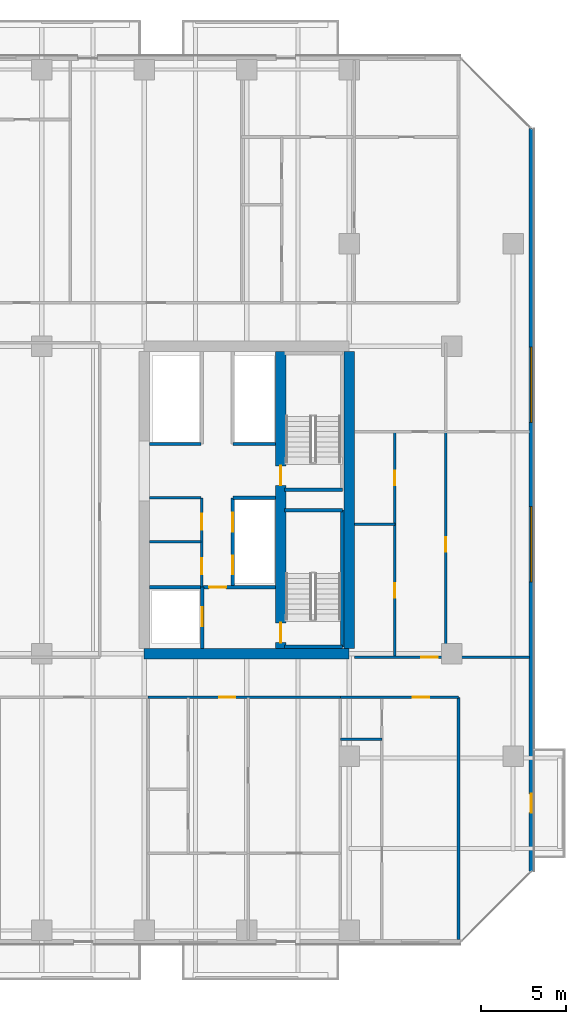
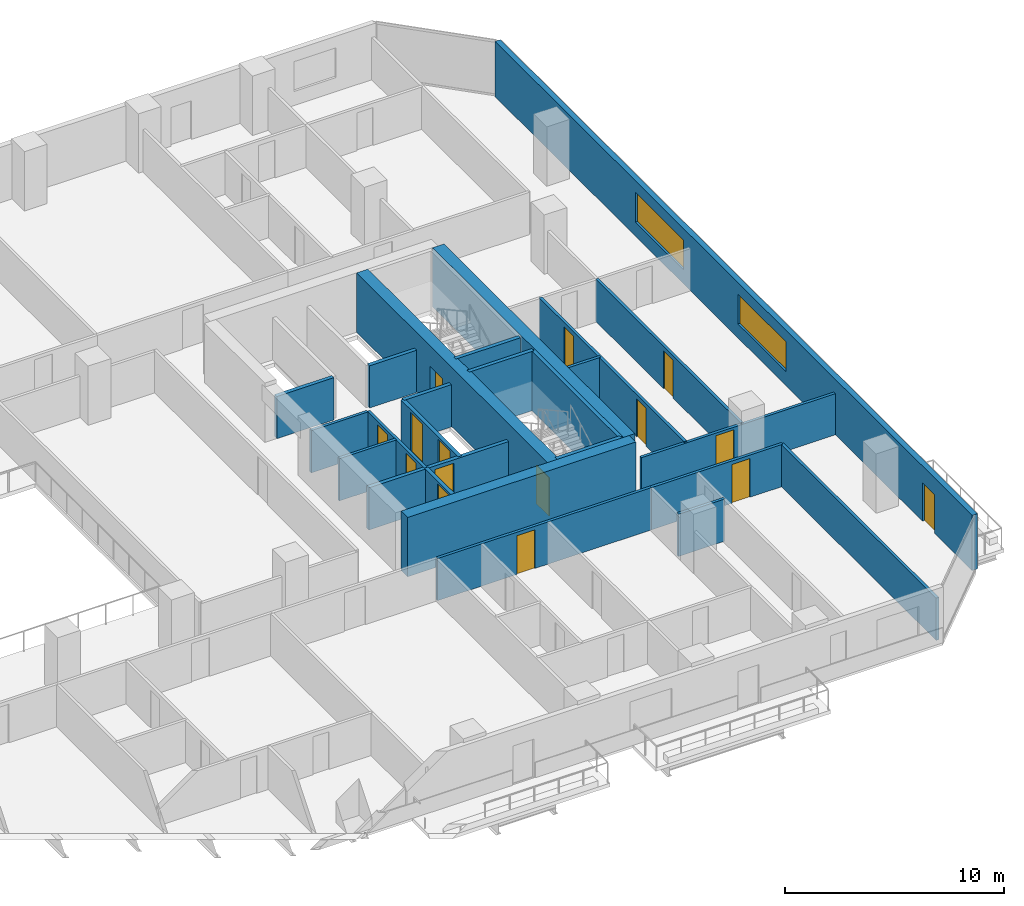
# One storey, part 22 of 33: 25 walls, 15 doors, 2 windows, 17 openings.
"""IFC4 building model written with IfcOpenShell, lengths in metres."""

import ifcopenshell
import ifcopenshell.guid

model = None  # the IFC model being written
_history = None  # IfcOwnerHistory: only IFC2X3 demands one
_inside = {}  # id of a spatial element -> (the spatial element, [elements in it])
_under = {}  # id of a project, library or spatial element -> (it, [spatial elements below it])
_declared = {}  # id of a project -> (the project, [libraries it declares])
_typed = {}  # id of a type object -> (the type object, [elements of that type])
_made_of = {}  # id of a material, layer set ... -> (it, [elements and type objects made of it])


def new_model(schema):
    """Start an empty IFC model of exactly this schema.

    Asked for "IFC4X3", IfcOpenShell would pick the latest addendum, in which some entities
    have other attributes; the version numbers below select the first issue.
    IFC2X3 requires an IfcOwnerHistory on every rooted entity: one is made here for all.
    """
    global model, _history
    if schema == "IFC4X3":
        model = ifcopenshell.file(schema_version=(4, 3, 0, 0))
    else:
        model = ifcopenshell.file(schema=schema)
    _inside.clear()
    _under.clear()
    _declared.clear()
    _typed.clear()
    _made_of.clear()
    _history = None
    if model.schema == "IFC2X3":
        org = make("IfcOrganization", Name="unknown")
        user = make(
            "IfcPersonAndOrganization",
            ThePerson=make("IfcPerson", FamilyName="unknown"),
            TheOrganization=org,
        )
        app = make(
            "IfcApplication",
            ApplicationDeveloper=org,
            Version="unknown",
            ApplicationFullName="unknown",
            ApplicationIdentifier="unknown",
        )
        _history = make(
            "IfcOwnerHistory",
            OwningUser=user,
            OwningApplication=app,
            ChangeAction="ADDED",
            CreationDate=0,
        )
    return model


def make(cls, **values):
    """One entity of the class cls with the attributes given. An attribute that is None is left unset."""
    return model.create_entity(
        cls, **{name: value for name, value in values.items() if value is not None}
    )


def rooted(cls, **values):
    """An entity with a GlobalId (a new one), such as an element, a storey or a relation."""
    return make(cls, GlobalId=ifcopenshell.guid.new(), OwnerHistory=_history, **values)


def si_unit(unit_type, name, prefix=None):
    """IfcSIUnit, for example si_unit("LENGTHUNIT", "METRE", prefix="MILLI")."""
    return make("IfcSIUnit", UnitType=unit_type, Prefix=prefix, Name=name)


def assignment(units):
    """IfcUnitAssignment: the units of a project."""
    return None if units is None else make("IfcUnitAssignment", Units=units)


def point(xyz):
    """IfcCartesianPoint."""
    return None if xyz is None else make("IfcCartesianPoint", Coordinates=xyz)


def direction(xyz):
    """IfcDirection."""
    return None if xyz is None else make("IfcDirection", DirectionRatios=xyz)


def frame(location, z_axis=None, x_axis=None):
    """IfcAxis2Placement3D, a coordinate frame: its origin and axes. An axis left out is left unset."""
    return make(
        "IfcAxis2Placement3D",
        Location=point(location),
        Axis=direction(z_axis),
        RefDirection=direction(x_axis),
    )


def frame_2d(location, x_axis=None):
    """IfcAxis2Placement2D, a coordinate frame in the plane: its origin and x axis."""
    return make(
        "IfcAxis2Placement2D", Location=point(location), RefDirection=direction(x_axis)
    )


def origin():
    """The frame at (0, 0, 0) with its axes left unset."""
    return frame((0.0, 0.0, 0.0))


def place(relative_to, where):
    """IfcLocalPlacement: puts the frame where relative to a parent placement (None: the world)."""
    return make(
        "IfcLocalPlacement", PlacementRelTo=relative_to, RelativePlacement=where
    )


def context(
    kind, dimensions, precision=None, world=None, true_north=None, identifier=None
):
    """IfcGeometricRepresentationContext, for example the 3D "Model" context."""
    return make(
        "IfcGeometricRepresentationContext",
        ContextIdentifier=identifier,
        ContextType=kind,
        CoordinateSpaceDimension=dimensions,
        Precision=precision,
        WorldCoordinateSystem=world,
        TrueNorth=true_north,
    )


def subcontext(parent, identifier, kind, view, scale=None):
    """IfcGeometricRepresentationSubContext, for example "Body" below "Model"."""
    return make(
        "IfcGeometricRepresentationSubContext",
        ContextIdentifier=identifier,
        ContextType=kind,
        ParentContext=parent,
        TargetScale=scale,
        TargetView=view,
    )


def project(units=None, contexts=None):
    """IfcProject with its units and contexts."""
    return rooted(
        "IfcProject",
        Name="project",
        RepresentationContexts=contexts,
        UnitsInContext=assignment(units),
    )


def spatial(cls, under=None, at=None, **own):
    """A site, building, storey or space (cls), placed at a placement, below another one or the project."""
    s = rooted(cls, ObjectPlacement=at, **own)
    if under is not None:
        _under.setdefault(under.id(), (under, []))[1].append(s)
    return s


def profile(cls, at=None, kind="AREA", **sizes):
    """A parametric profile (cls). Its sizes go by their IFC names, for example OverallWidth=200.0."""
    return make(cls, ProfileType=kind, Position=at, **sizes)


def rectangle(**sizes):
    """IfcRectangleProfileDef."""
    return profile("IfcRectangleProfileDef", **sizes)


def extrude(swept, where, along, depth):
    """IfcExtrudedAreaSolid: the profile swept, set in the frame where, extruded along a direction by depth."""
    return make(
        "IfcExtrudedAreaSolid",
        SweptArea=swept,
        Position=where,
        ExtrudedDirection=direction(along),
        Depth=depth,
    )


def shape(context_of_items, identifier, shape_type, items):
    """IfcShapeRepresentation: the items that make up one representation, for example the "Body"."""
    return make(
        "IfcShapeRepresentation",
        ContextOfItems=context_of_items,
        RepresentationIdentifier=identifier,
        RepresentationType=shape_type,
        Items=items,
    )


def material(Name=None, Category=None):
    """IfcMaterial."""
    return make("IfcMaterial", Name=Name, Category=Category)


def layer(
    of_material, thickness, ventilated=None, Name=None, Category=None, Priority=None
):
    """IfcMaterialLayer: one layer of a wall or slab, of a material (None: an air gap)."""
    return make(
        "IfcMaterialLayer",
        Material=of_material,
        LayerThickness=thickness,
        IsVentilated=ventilated,
        Name=Name,
        Category=Category,
        Priority=Priority,
    )


def layer_set(layers, Name=None):
    """IfcMaterialLayerSet."""
    return make("IfcMaterialLayerSet", MaterialLayers=layers, LayerSetName=Name)


def made_of(thing, what):
    """Note that an element or type object is made of a material, layer set ...; save() writes the relation."""
    if what is not None:
        _made_of.setdefault(what.id(), (what, []))[1].append(thing)
    return thing


def type_object(cls, material=None, **own):
    """A type object (cls), such as IfcWallType, which elements share."""
    return made_of(rooted(cls, **own), material)


def element(
    cls,
    number,
    at=None,
    inside=None,
    cuts=None,
    type_object=None,
    material=None,
    context=None,
    identifier="Body",
    shape_type=None,
    held_by="IfcProductDefinitionShape",
    body=None,
    shapes=None,
    **own,
):
    """One element of the class cls, such as IfcWall. Its Tag is "e" and its number.

    at: its placement. inside: the storey or other place that contains it. cuts: it is an
    opening in that element (IfcRelVoidsElement). A single representation is given by context,
    identifier, shape_type and body (its items); several are given by shapes. held_by: the class
    of the entity that holds the representations. save() writes the other relations.
    """
    e = rooted(cls, Tag="e%d" % number, ObjectPlacement=at, **own)
    if body is not None:
        shapes = [shape(context, identifier, shape_type, body)]
    if shapes is not None:
        e.Representation = make(held_by, Representations=shapes)
    if inside is not None:
        _inside.setdefault(inside.id(), (inside, []))[1].append(e)
    if cuts is not None:
        rooted(
            "IfcRelVoidsElement", RelatingBuildingElement=cuts, RelatedOpeningElement=e
        )
    if type_object is not None:
        _typed.setdefault(type_object.id(), (type_object, []))[1].append(e)
    return made_of(e, material)


def fill(opening, filler):
    """IfcRelFillsElement: the door or window that sits in an opening."""
    return rooted(
        "IfcRelFillsElement",
        RelatingOpeningElement=opening,
        RelatedBuildingElement=filler,
    )


def aggregate(whole, parts):
    """IfcRelAggregates: a whole, such as a stair, and the parts it consists of."""
    return rooted("IfcRelAggregates", RelatingObject=whole, RelatedObjects=parts)


def save(model, path):
    """Write the relations noted so far, then the file.

    IfcRelAggregates (storeys below a building ...), IfcRelContainedInSpatialStructure (elements
    in a storey), IfcRelDefinesByType, IfcRelAssociatesMaterial and IfcRelDeclares: one each for
    every whole, place, type object, material and project.
    """
    for whole, parts in _under.values():
        aggregate(whole, parts)
    for where, things in _inside.values():
        rooted(
            "IfcRelContainedInSpatialStructure",
            RelatedElements=things,
            RelatingStructure=where,
        )
    for kind, things in _typed.values():
        rooted("IfcRelDefinesByType", RelatedObjects=things, RelatingType=kind)
    for what, things in _made_of.values():
        rooted("IfcRelAssociatesMaterial", RelatedObjects=things, RelatingMaterial=what)
    for by, libraries in _declared.values():
        rooted("IfcRelDeclares", RelatingContext=by, RelatedDefinitions=libraries)
    model.write(path)


model = new_model("IFC4")

# Units and contexts
model_context = context("Model", 3, precision=1e-05, world=origin(), true_north=direction((0.0, 1.0)))
body_context = subcontext(model_context, "Body", "Model", "MODEL_VIEW")
ifc_project = project(units=[si_unit("LENGTHUNIT", "METRE"), si_unit("AREAUNIT", "SQUARE_METRE"), si_unit("VOLUMEUNIT", "CUBIC_METRE"), si_unit("PLANEANGLEUNIT", "RADIAN"), si_unit("MASSUNIT", "GRAM", prefix="KILO")], contexts=[model_context])

# Site, building, storey
site_placement = place(None, origin())
site = spatial("IfcSite", under=ifc_project, at=site_placement, CompositionType="ELEMENT")
building_placement = place(site_placement, origin())
building = spatial("IfcBuilding", under=site, at=building_placement, Name="Tanjung Sevakor Pilgrim Tower", CompositionType="ELEMENT")
storey_placement = place(building_placement, frame((0.0, 0.0, 32.340087890625)))
storey = spatial("IfcBuildingStorey", under=building, at=storey_placement, Name="L08", CompositionType="ELEMENT", Elevation=32.340087890625)

# Walls
ifc_material_1 = material(Name="Concrete C60/75", Category="concrete")
ifc_layer_1 = layer(ifc_material_1, 0.60009765625)
ifc_layer_set_1 = layer_set([ifc_layer_1], Name="WALL-CW-600")
wall_type_1 = type_object("IfcWallType", Name="WALL-CW-600", PredefinedType="SHEAR", material=ifc_layer_set_1)
wall_1_placement = place(storey_placement, frame((78.0, 24.60009765625, 0.0), z_axis=(0.0, 0.0, 1.0), x_axis=(1.0, 0.0, 0.0)))
element("IfcWall", 1, at=wall_1_placement, inside=storey, type_object=wall_type_1, Name="L08 E Core South Shear Wall", PredefinedType="SHEAR", context=body_context, shape_type="SweptSolid", body=[
    extrude(rectangle(XDim=12.0, YDim=0.60009765625, at=frame_2d((6.0, 0.0))), origin(), (0.0, 0.0, 1.0), 3.2998046875),
])
wall_2_placement = place(storey_placement, frame((90.0, 24.89990234375, 0.0), z_axis=(0.0, 0.0, 1.0), x_axis=(0.0, 1.0, 0.0)))
element("IfcWall", 2, at=wall_2_placement, inside=storey, type_object=wall_type_1, Name="L08 E Core Outer Shear Wall", PredefinedType="SHEAR", context=body_context, shape_type="SweptSolid", body=[
    extrude(rectangle(XDim=17.400146484375, YDim=0.60009765625, at=frame_2d((8.7001953125, 0.0))), origin(), (0.0, 0.0, 1.0), 3.2998046875),
])

# Wall, openings, doors
wall_3_placement = place(storey_placement, frame((86.0, 24.89990234375, 0.0), z_axis=(0.0, 0.0, 1.0), x_axis=(0.0, 1.0, 0.0)))
wall_3 = element("IfcWall", 3, at=wall_3_placement, inside=storey, type_object=wall_type_1, Name="L08 E Core Stair Spine Wall", PredefinedType="SHEAR", context=body_context, shape_type="SweptSolid", body=[
    extrude(rectangle(XDim=17.400146484375, YDim=0.60009765625, at=frame_2d((8.7001953125, 0.0))), origin(), (0.0, 0.0, 1.0), 3.2998046875),
])
opening_1_placement = place(wall_3_placement, frame((0.35009765625, 0.0, 0.0)))
opening_1 = element("IfcOpeningElement", 4, at=opening_1_placement, cuts=wall_3, Name="Opening ID-ST1", PredefinedType="OPENING", context=body_context, shape_type="SweptSolid", body=[
    extrude(rectangle(XDim=1.14990234375, YDim=2.14990234375, at=frame_2d((0.574951171875, 1.074951171875))), frame((0.0, 0.31005859375, 0.0), z_axis=(0.0, -1.0, 0.0), x_axis=(1.0, 0.0, 0.0)), (0.0, 0.0, 1.0), 0.6201171875),
])
opening_2_placement = place(wall_3_placement, frame((9.550048828125, 0.0, 0.0)))
opening_2 = element("IfcOpeningElement", 5, at=opening_2_placement, cuts=wall_3, Name="Opening ID-ST1", PredefinedType="OPENING", context=body_context, shape_type="SweptSolid", body=[
    extrude(rectangle(XDim=1.14990234375, YDim=2.14990234375, at=frame_2d((0.574951171875, 1.074951171875))), frame((0.0, 0.31005859375, 0.0), z_axis=(0.0, -1.0, 0.0), x_axis=(1.0, 0.0, 0.0)), (0.0, 0.0, 1.0), 0.6201171875),
])
ifc_material_2 = material(Name="Fire-Rated Steel S355J2", Category="steel")
door_type_1 = type_object("IfcDoorType", Name="DT-FIRE-1150", OperationType="NOTDEFINED", PredefinedType="DOOR", material=ifc_material_2)
door_1_placement = place(opening_1_placement, origin())
door_1 = element("IfcDoor", 6, at=door_1_placement, inside=storey, type_object=door_type_1, Name="L08 TS-E1 Stair Fire Door", OperationType="SINGLE_SWING_RIGHT", OverallHeight=2.14990234375, OverallWidth=1.14990234375, PredefinedType="DOOR", context=body_context, shape_type="SweptSolid", body=[
    extrude(rectangle(XDim=1.14990234375, YDim=2.14990234375, at=frame_2d((0.574951171875, 1.074951171875))), frame((0.0, 0.02490234375, 0.0), z_axis=(0.0, -1.0, 0.0), x_axis=(1.0, 0.0, 0.0)), (0.0, 0.0, 1.0), 0.050048828125),
])
fill(opening_1, door_1)
door_2_placement = place(opening_2_placement, origin())
door_2 = element("IfcDoor", 7, at=door_2_placement, inside=storey, type_object=door_type_1, Name="L08 TS-E2 Stair Fire Door", OperationType="SINGLE_SWING_LEFT", OverallHeight=2.14990234375, OverallWidth=1.14990234375, PredefinedType="DOOR", context=body_context, shape_type="SweptSolid", body=[
    extrude(rectangle(XDim=1.14990234375, YDim=2.14990234375, at=frame_2d((0.574951171875, 1.074951171875))), frame((0.0, 0.02490234375, 0.0), z_axis=(0.0, -1.0, 0.0), x_axis=(1.0, 0.0, 0.0)), (0.0, 0.0, 1.0), 0.050048828125),
])
fill(opening_2, door_2)

# Walls
ifc_material_3 = material(Name="Concrete C40/50", Category="concrete")
ifc_layer_2 = layer(ifc_material_3, 0.14990234375)
ifc_layer_set_2 = layer_set([ifc_layer_2], Name="WT-COMP-150")
wall_type_2 = type_object("IfcWallType", Name="WT-COMP-150", PredefinedType="SOLIDWALL", material=ifc_layer_set_2)
for number, where, z_axis, x_axis, name in (
    (8, (78.320068359375, 31.14990234375, 0.0), (0.0, 0.0, 1.0), (1.0, 0.0, 0.0), "L08 Partition IW-L08-016"),
    (9, (78.320068359375, 33.719970703125, 0.0), (0.0, 0.0, 1.0), (1.0, 0.0, 0.0), "L08 Partition IW-L08-017"),
):
    element("IfcWall", number, at=place(storey_placement, frame(where, z_axis=z_axis, x_axis=x_axis)), inside=storey, type_object=wall_type_2, Name=name, PredefinedType="SOLIDWALL", context=body_context, shape_type="SweptSolid", body=[
        extrude(rectangle(XDim=3.0, YDim=0.14990234375, at=frame_2d((1.5, 0.0))), origin(), (0.0, 0.0, 1.0), 2.35009765625),
    ])

# Wall, openings, doors
wall_4_placement = place(storey_placement, frame((81.3798828125, 28.5, 0.0), z_axis=(0.0, 0.0, 1.0), x_axis=(0.0, 1.0, 0.0)))
wall_4 = element("IfcWall", 10, at=wall_4_placement, inside=storey, type_object=wall_type_2, Name="L08 Partition IW-L08-018", PredefinedType="SOLIDWALL", context=body_context, shape_type="SweptSolid", body=[
    extrude(rectangle(XDim=5.219970703125, YDim=0.14990234375, at=frame_2d((2.60986328125, 0.0))), origin(), (0.0, 0.0, 1.0), 2.35009765625),
])
opening_3_placement = place(wall_4_placement, frame((0.75, 0.0, 0.0)))
opening_3 = element("IfcOpeningElement", 11, at=opening_3_placement, cuts=wall_4, Name="Opening ID-FD2", PredefinedType="OPENING", context=body_context, shape_type="SweptSolid", body=[
    extrude(rectangle(XDim=0.949951171875, YDim=2.14990234375, at=frame_2d((0.47509765625, 1.074951171875))), frame((0.0, 0.0849609375, 0.0), z_axis=(0.0, -1.0, 0.0), x_axis=(1.0, 0.0, 0.0)), (0.0, 0.0, 1.0), 0.169921875),
])
opening_4_placement = place(wall_4_placement, frame((3.35009765625, 0.0, 0.0)))
opening_4 = element("IfcOpeningElement", 12, at=opening_4_placement, cuts=wall_4, Name="Opening ID-FD2", PredefinedType="OPENING", context=body_context, shape_type="SweptSolid", body=[
    extrude(rectangle(XDim=0.949951171875, YDim=2.14990234375, at=frame_2d((0.47509765625, 1.074951171875))), frame((0.0, 0.0849609375, 0.0), z_axis=(0.0, -1.0, 0.0), x_axis=(1.0, 0.0, 0.0)), (0.0, 0.0, 1.0), 0.169921875),
])
ifc_material_4 = material(Name="Fire-Rated Timber", Category="wood")
door_type_2 = type_object("IfcDoorType", Name="DT-FIRE-950", OperationType="NOTDEFINED", PredefinedType="DOOR", material=ifc_material_4)
door_3_placement = place(opening_3_placement, origin())
door_3 = element("IfcDoor", 13, at=door_3_placement, inside=storey, type_object=door_type_2, Name="L08 Accessible WC Door", OperationType="SINGLE_SWING_LEFT", OverallHeight=2.14990234375, OverallWidth=0.949951171875, PredefinedType="DOOR", context=body_context, shape_type="SweptSolid", body=[
    extrude(rectangle(XDim=0.949951171875, YDim=2.14990234375, at=frame_2d((0.47509765625, 1.074951171875))), frame((0.0, 0.02490234375, 0.0), z_axis=(0.0, -1.0, 0.0), x_axis=(1.0, 0.0, 0.0)), (0.0, 0.0, 1.0), 0.050048828125),
])
fill(opening_3, door_3)
door_4_placement = place(opening_4_placement, origin())
door_4 = element("IfcDoor", 14, at=door_4_placement, inside=storey, type_object=door_type_2, Name="L08 Core Service Door", OperationType="SINGLE_SWING_RIGHT", OverallHeight=2.14990234375, OverallWidth=0.949951171875, PredefinedType="DOOR", context=body_context, shape_type="SweptSolid", body=[
    extrude(rectangle(XDim=0.949951171875, YDim=2.14990234375, at=frame_2d((0.47509765625, 1.074951171875))), frame((0.0, 0.02490234375, 0.0), z_axis=(0.0, -1.0, 0.0), x_axis=(1.0, 0.0, 0.0)), (0.0, 0.0, 1.0), 0.050048828125),
])
fill(opening_4, door_4)

# Wall, opening, door
wall_5_placement = place(storey_placement, frame((90.320068359375, 24.39990234375, 0.0), z_axis=(0.0, 0.0, 1.0), x_axis=(1.0, 0.0, 0.0)))
wall_5 = element("IfcWall", 15, at=wall_5_placement, inside=storey, type_object=wall_type_2, Name="L08 Partition IW-L08-037", PredefinedType="SOLIDWALL", context=body_context, shape_type="SweptSolid", body=[
    extrude(rectangle(XDim=10.239990234375, YDim=0.14990234375, at=frame_2d((5.1201171875, 0.0))), origin(), (0.0, 0.0, 1.0), 2.295166015625),
])
opening_5_placement = place(wall_5_placement, frame((3.91259765625, 0.0, 0.0)))
opening_5 = element("IfcOpeningElement", 16, at=opening_5_placement, cuts=wall_5, Name="Opening ID-FD2", PredefinedType="OPENING", context=body_context, shape_type="SweptSolid", body=[
    extrude(rectangle(XDim=0.949951171875, YDim=2.14990234375, at=frame_2d((0.47509765625, 1.074951171875))), frame((0.0, 0.0849609375, 0.0), z_axis=(0.0, -1.0, 0.0), x_axis=(1.0, 0.0, 0.0)), (0.0, 0.0, 1.0), 0.169921875),
])
door_5_placement = place(opening_5_placement, origin())
door_5 = element("IfcDoor", 17, at=door_5_placement, inside=storey, type_object=door_type_2, Name="Suite Entrance", OperationType="SINGLE_SWING_LEFT", OverallHeight=2.14990234375, OverallWidth=0.949951171875, PredefinedType="DOOR", context=body_context, shape_type="SweptSolid", body=[
    extrude(rectangle(XDim=0.949951171875, YDim=2.14990234375, at=frame_2d((0.47509765625, 1.074951171875))), frame((0.0, 0.02490234375, 0.0), z_axis=(0.0, -1.0, 0.0), x_axis=(1.0, 0.0, 0.0)), (0.0, 0.0, 1.0), 0.050048828125),
])
fill(opening_5, door_5)

# Wall
wall_6_placement = place(storey_placement, frame((96.39990234375, 7.8798828125, 0.0), z_axis=(0.0, 0.0, 1.0), x_axis=(0.0, 1.0, 0.0)))
element("IfcWall", 18, at=wall_6_placement, inside=storey, type_object=wall_type_2, Name="L08 Partition IW-L08-058", PredefinedType="SOLIDWALL", context=body_context, shape_type="SweptSolid", body=[
    extrude(rectangle(XDim=14.170166015625, YDim=0.14990234375, at=frame_2d((7.0849609375, 0.0))), origin(), (0.0, 0.0, 1.0), 2.35009765625),
])

# Wall, opening, door
wall_7_placement = place(storey_placement, frame((78.227294921875, 22.050048828125, 0.0), z_axis=(0.0, 0.0, 1.0), x_axis=(1.0, 0.0, 0.0)))
wall_7 = element("IfcWall", 19, at=wall_7_placement, inside=storey, type_object=wall_type_2, Name="L08 Partition IW-L08-075", PredefinedType="SOLIDWALL", context=body_context, shape_type="SweptSolid", body=[
    extrude(rectangle(XDim=11.261962890625, YDim=0.14990234375, at=frame_2d((5.630859375, 0.0))), origin(), (0.0, 0.0, 1.0), 2.35009765625),
])
opening_6_placement = place(wall_7_placement, frame((4.16796875, 0.0, 0.0)))
opening_6 = element("IfcOpeningElement", 20, at=opening_6_placement, cuts=wall_7, Name="Opening ID-FD2", PredefinedType="OPENING", context=body_context, shape_type="SweptSolid", body=[
    extrude(rectangle(XDim=0.949951171875, YDim=2.14990234375, at=frame_2d((0.47509765625, 1.074951171875))), frame((0.0, 0.0849609375, 0.0), z_axis=(0.0, -1.0, 0.0), x_axis=(1.0, 0.0, 0.0)), (0.0, 0.0, 1.0), 0.169921875),
])
door_6_placement = place(opening_6_placement, origin())
door_6 = element("IfcDoor", 21, at=door_6_placement, inside=storey, type_object=door_type_2, Name="Suite Entrance", OperationType="SINGLE_SWING_LEFT", OverallHeight=2.14990234375, OverallWidth=0.949951171875, PredefinedType="DOOR", context=body_context, shape_type="SweptSolid", body=[
    extrude(rectangle(XDim=0.949951171875, YDim=2.14990234375, at=frame_2d((0.47509765625, 1.074951171875))), frame((0.0, 0.02490234375, 0.0), z_axis=(0.0, -1.0, 0.0), x_axis=(1.0, 0.0, 0.0)), (0.0, 0.0, 1.0), 0.050048828125),
])
fill(opening_6, door_6)

wall_8_placement = place(storey_placement, frame((89.4892578125, 22.050048828125, 0.0), z_axis=(0.0, 0.0, 1.0), x_axis=(1.0, 0.0, 0.0)))
wall_8 = element("IfcWall", 22, at=wall_8_placement, inside=storey, type_object=wall_type_2, Name="L08 Partition IW-L08-078", PredefinedType="SOLIDWALL", context=body_context, shape_type="SweptSolid", body=[
    extrude(rectangle(XDim=6.91064453125, YDim=0.14990234375, at=frame_2d((3.455322265625, 0.0))), origin(), (0.0, 0.0, 1.0), 2.35009765625),
])
opening_7_placement = place(wall_8_placement, frame((4.235595703125, 0.0, 0.0)))
opening_7 = element("IfcOpeningElement", 23, at=opening_7_placement, cuts=wall_8, Name="Opening ID-FD2", PredefinedType="OPENING", context=body_context, shape_type="SweptSolid", body=[
    extrude(rectangle(XDim=0.949951171875, YDim=2.14990234375, at=frame_2d((0.47509765625, 1.074951171875))), frame((0.0, 0.0849609375, 0.0), z_axis=(0.0, -1.0, 0.0), x_axis=(1.0, 0.0, 0.0)), (0.0, 0.0, 1.0), 0.169921875),
])
door_7_placement = place(opening_7_placement, origin())
door_7 = element("IfcDoor", 24, at=door_7_placement, inside=storey, type_object=door_type_2, Name="Hostel Quad Entrance", OperationType="SINGLE_SWING_RIGHT", OverallHeight=2.14990234375, OverallWidth=0.949951171875, PredefinedType="DOOR", context=body_context, shape_type="SweptSolid", body=[
    extrude(rectangle(XDim=0.949951171875, YDim=2.14990234375, at=frame_2d((0.47509765625, 1.074951171875))), frame((0.0, 0.02490234375, 0.0), z_axis=(0.0, -1.0, 0.0), x_axis=(1.0, 0.0, 0.0)), (0.0, 0.0, 1.0), 0.050048828125),
])
fill(opening_7, door_7)

# Wall, openings, door, windows
ifc_material_5 = material(Name="Precast concrete C45/55", Category="concrete")
ifc_layer_3 = layer(ifc_material_5, 0.280029296875)
ifc_layer_set_3 = layer_set([ifc_layer_3], Name="WT-EW-STN2")
wall_type_3 = type_object("IfcWallType", Name="WT-EW-STN2", PredefinedType="SOLIDWALL", material=ifc_layer_set_3)
wall_9_placement = place(storey_placement, frame((100.659912109375, 11.85791015625, 0.0), z_axis=(0.0, 0.0, 1.0), x_axis=(0.0, 1.0, 0.0)))
wall_9 = element("IfcWall", 25, at=wall_9_placement, inside=storey, type_object=wall_type_3, Name="L08 MAIN Exterior Wall 7", PredefinedType="SOLIDWALL", context=body_context, shape_type="SweptSolid", body=[
    extrude(rectangle(XDim=43.484130859375, YDim=0.280029296875, at=frame_2d((21.7421875, 0.0))), origin(), (0.0, 0.0, 1.0), 3.080078125),
])
opening_8_placement = place(wall_9_placement, frame((3.44189453125, 0.0, 0.0)))
opening_8 = element("IfcOpeningElement", 26, at=opening_8_placement, cuts=wall_9, Name="Opening ED-BAL-1100", PredefinedType="OPENING", context=body_context, shape_type="SweptSolid", body=[
    extrude(rectangle(XDim=1.10009765625, YDim=2.14990234375, at=frame_2d((0.550048828125, 1.074951171875))), frame((0.0, 0.14990234375, 0.0), z_axis=(0.0, -1.0, 0.0), x_axis=(1.0, 0.0, 0.0)), (0.0, 0.0, 1.0), 0.300048828125),
])
opening_9_placement = place(wall_9_placement, frame((16.951904296875, 0.0, 0.780029296875)))
opening_9 = element("IfcOpeningElement", 27, at=opening_9_placement, cuts=wall_9, Name="Opening WN-ENDW-1660", PredefinedType="OPENING", context=body_context, shape_type="SweptSolid", body=[
    extrude(rectangle(XDim=4.39990234375, YDim=1.659912109375, at=frame_2d((2.199951171875, 0.830078125))), frame((0.0, 0.14990234375, 0.0), z_axis=(0.0, -1.0, 0.0), x_axis=(1.0, 0.0, 0.0)), (0.0, 0.0, 1.0), 0.300048828125),
])
opening_10_placement = place(wall_9_placement, frame((26.2919921875, 0.0, 0.780029296875)))
opening_10 = element("IfcOpeningElement", 28, at=opening_10_placement, cuts=wall_9, Name="Opening WN-ENDW-1660", PredefinedType="OPENING", context=body_context, shape_type="SweptSolid", body=[
    extrude(rectangle(XDim=4.39990234375, YDim=1.659912109375, at=frame_2d((2.199951171875, 0.830078125))), frame((0.0, 0.14990234375, 0.0), z_axis=(0.0, -1.0, 0.0), x_axis=(1.0, 0.0, 0.0)), (0.0, 0.0, 1.0), 0.300048828125),
])
ifc_material_6 = material(Name="Anodised Aluminium and Laminated Glass", Category="aluminium")
door_type_3 = type_object("IfcDoorType", Name="DTYP-ED-BAL-1100", OperationType="NOTDEFINED", PredefinedType="DOOR", material=ifc_material_6)
door_8_placement = place(opening_8_placement, frame((1.10009765625, 0.0, 0.0), z_axis=(0.0, 0.0, 1.0), x_axis=(-1.0, 0.0, 0.0)))
door_8 = element("IfcDoor", 29, at=door_8_placement, inside=storey, type_object=door_type_3, Name="L08 East Loggia Door MAIN-E1", OperationType="SINGLE_SWING_RIGHT", OverallHeight=2.14990234375, OverallWidth=1.10009765625, PredefinedType="DOOR", context=body_context, shape_type="SweptSolid", body=[
    extrude(rectangle(XDim=1.10009765625, YDim=2.14990234375, at=frame_2d((0.550048828125, 1.074951171875))), frame((0.0, 0.02490234375, 0.0), z_axis=(0.0, -1.0, 0.0), x_axis=(1.0, 0.0, 0.0)), (0.0, 0.0, 1.0), 0.050048828125),
])
fill(opening_8, door_8)
ifc_material_7 = material(Name="Thermally Broken Aluminium and Low-E Glass", Category="aluminium")
window_type = type_object("IfcWindowType", Name="WTYP-WN-ENDW-1660", PartitioningType="DOUBLE_PANEL_VERTICAL", PredefinedType="WINDOW", material=ifc_material_7)
window_1_placement = place(opening_9_placement, origin())
window_1 = element("IfcWindow", 30, at=window_1_placement, inside=storey, type_object=window_type, Name="L08 Facade Window 01", OverallHeight=1.659912109375, OverallWidth=4.39990234375, PartitioningType="SINGLE_PANEL", PredefinedType="WINDOW", context=body_context, shape_type="SweptSolid", body=[
    extrude(rectangle(XDim=4.39990234375, YDim=1.659912109375, at=frame_2d((2.199951171875, 0.830078125))), frame((0.0, 0.030029296875, 0.0), z_axis=(0.0, -1.0, 0.0), x_axis=(1.0, 0.0, 0.0)), (0.0, 0.0, 1.0), 0.06005859375),
])
fill(opening_9, window_1)
window_2_placement = place(opening_10_placement, origin())
window_2 = element("IfcWindow", 31, at=window_2_placement, inside=storey, type_object=window_type, Name="L08 Facade Window 02", OverallHeight=1.659912109375, OverallWidth=4.39990234375, PartitioningType="SINGLE_PANEL", PredefinedType="WINDOW", context=body_context, shape_type="SweptSolid", body=[
    extrude(rectangle(XDim=4.39990234375, YDim=1.659912109375, at=frame_2d((2.199951171875, 0.830078125))), frame((0.0, 0.030029296875, 0.0), z_axis=(0.0, -1.0, 0.0), x_axis=(1.0, 0.0, 0.0)), (0.0, 0.0, 1.0), 0.06005859375),
])
fill(opening_10, window_2)

# Walls
ifc_material_8 = material(Name="Concrete C40/50", Category="concrete")
ifc_layer_4 = layer(ifc_material_8, 0.199951171875)
ifc_layer_set_4 = layer_set([ifc_layer_4], Name="WT-FIRE-200")
wall_type_4 = type_object("IfcWallType", Name="WT-FIRE-200", PredefinedType="SOLIDWALL", material=ifc_layer_set_4)
wall_10_placement = place(storey_placement, frame((86.199951171875, 25.0, 0.0), z_axis=(0.0, 0.0, 1.0), x_axis=(1.0, 0.0, 0.0)))
element("IfcWall", 32, at=wall_10_placement, inside=storey, type_object=wall_type_4, Name="L08 TS-E1 Shaft Wall 1", PredefinedType="SOLIDWALL", context=body_context, shape_type="SweptSolid", body=[
    extrude(rectangle(XDim=3.400146484375, YDim=0.199951171875, at=frame_2d((1.7001953125, 0.0))), origin(), (0.0, 0.0, 1.0), 3.2998046875),
])
wall_11_placement = place(storey_placement, frame((89.60009765625, 25.0, 0.0), z_axis=(0.0, 0.0, 1.0), x_axis=(0.0, 1.0, 0.0)))
element("IfcWall", 33, at=wall_11_placement, inside=storey, type_object=wall_type_4, Name="L08 TS-E1 Shaft Wall 2", PredefinedType="SOLIDWALL", context=body_context, shape_type="SweptSolid", body=[
    extrude(rectangle(XDim=8.0, YDim=0.199951171875, at=frame_2d((4.0, 0.0))), origin(), (0.0, 0.0, 1.0), 3.2998046875),
])
for number, where, z_axis, x_axis, name in (
    (34, (89.60009765625, 33.0, 0.0), (0.0, 0.0, 1.0), (-1.0, 0.0, 0.0), "L08 TS-E1 Shaft Wall 3"),
    (35, (86.199951171875, 34.199951171875, 0.0), (0.0, 0.0, 1.0), (1.0, 0.0, 0.0), "L08 TS-E2 Shaft Wall 1"),
):
    element("IfcWall", number, at=place(storey_placement, frame(where, z_axis=z_axis, x_axis=x_axis)), inside=storey, type_object=wall_type_4, Name=name, PredefinedType="SOLIDWALL", context=body_context, shape_type="SweptSolid", body=[
        extrude(rectangle(XDim=3.400146484375, YDim=0.199951171875, at=frame_2d((1.7001953125, 0.0))), origin(), (0.0, 0.0, 1.0), 3.2998046875),
    ])

# Wall, opening, door
ifc_material_9 = material(Name="Concrete C40/50", Category="concrete")
ifc_layer_5 = layer(ifc_material_9, 0.199951171875)
ifc_layer_set_5 = layer_set([ifc_layer_5], Name="WT-FPRT-200")
wall_type_5 = type_object("IfcWallType", Name="WT-FPRT-200", PredefinedType="SOLIDWALL", material=ifc_layer_set_5)
wall_12_placement = place(storey_placement, frame((81.39990234375, 24.919921875, 0.0), z_axis=(0.0, 0.0, 1.0), x_axis=(0.0, 1.0, 0.0)))
wall_12 = element("IfcWall", 36, at=wall_12_placement, inside=storey, type_object=wall_type_5, Name="L08 Partition IW-L08-012", PredefinedType="SOLIDWALL", context=body_context, shape_type="SweptSolid", body=[
    extrude(rectangle(XDim=3.580078125, YDim=0.199951171875, at=frame_2d((1.7900390625, 0.0))), origin(), (0.0, 0.0, 1.0), 2.35009765625),
])
opening_11_placement = place(wall_12_placement, frame((1.300048828125, 0.0, 0.0)))
opening_11 = element("IfcOpeningElement", 37, at=opening_11_placement, cuts=wall_12, Name="Opening LD-1100", PredefinedType="OPENING", context=body_context, shape_type="SweptSolid", body=[
    extrude(rectangle(XDim=1.10009765625, YDim=2.199951171875, at=frame_2d((0.550048828125, 1.10009765625))), frame((0.0, 0.10986328125, 0.0), z_axis=(0.0, -1.0, 0.0), x_axis=(1.0, 0.0, 0.0)), (0.0, 0.0, 1.0), 0.219970703125),
])
ifc_material_10 = material(Name="Brushed Stainless Steel S355J2", Category="steel")
door_type_4 = type_object("IfcDoorType", Name="DT-LIFT-1100", OperationType="SLIDING_TO_LEFT", PredefinedType="DOOR", material=ifc_material_10)
door_9_placement = place(opening_11_placement, origin())
door_9 = element("IfcDoor", 38, at=door_9_placement, inside=storey, type_object=door_type_4, Name="LD-FL-E", OperationType="SLIDING_TO_LEFT", OverallHeight=2.199951171875, OverallWidth=1.10009765625, PredefinedType="DOOR", context=body_context, shape_type="SweptSolid", body=[
    extrude(rectangle(XDim=1.10009765625, YDim=2.199951171875, at=frame_2d((0.550048828125, 1.10009765625))), frame((0.0, 0.02490234375, 0.0), z_axis=(0.0, -1.0, 0.0), x_axis=(1.0, 0.0, 0.0)), (0.0, 0.0, 1.0), 0.050048828125),
])
fill(opening_11, door_9)

wall_13_placement = place(storey_placement, frame((78.320068359375, 28.5, 0.0), z_axis=(0.0, 0.0, 1.0), x_axis=(1.0, 0.0, 0.0)))
wall_13 = element("IfcWall", 39, at=wall_13_placement, inside=storey, type_object=wall_type_5, Name="L08 Partition IW-L08-013", PredefinedType="SOLIDWALL", context=body_context, shape_type="SweptSolid", body=[
    extrude(rectangle(XDim=7.35986328125, YDim=0.199951171875, at=frame_2d((3.679931640625, 0.0))), origin(), (0.0, 0.0, 1.0), 2.35009765625),
])
opening_12_placement = place(wall_13_placement, frame((3.47998046875, 0.0, 0.0)))
opening_12 = element("IfcOpeningElement", 40, at=opening_12_placement, cuts=wall_13, Name="Opening ID-FD1", PredefinedType="OPENING", context=body_context, shape_type="SweptSolid", body=[
    extrude(rectangle(XDim=1.0, YDim=2.14990234375, at=frame_2d((0.5, 1.074951171875))), frame((0.0, 0.10986328125, 0.0), z_axis=(0.0, -1.0, 0.0), x_axis=(1.0, 0.0, 0.0)), (0.0, 0.0, 1.0), 0.219970703125),
])
ifc_material_11 = material(Name="Fire-Rated Steel S355J2", Category="steel")
door_type_5 = type_object("IfcDoorType", Name="DT-FIRE-1000", OperationType="NOTDEFINED", PredefinedType="DOOR", material=ifc_material_11)
door_10_placement = place(opening_12_placement, origin())
door_10 = element("IfcDoor", 41, at=door_10_placement, inside=storey, type_object=door_type_5, Name="Fire Lobby Door E", OperationType="SINGLE_SWING_RIGHT", OverallHeight=2.14990234375, OverallWidth=1.0, PredefinedType="DOOR", context=body_context, shape_type="SweptSolid", body=[
    extrude(rectangle(XDim=1.0, YDim=2.14990234375, at=frame_2d((0.5, 1.074951171875))), frame((0.0, 0.02490234375, 0.0), z_axis=(0.0, -1.0, 0.0), x_axis=(1.0, 0.0, 0.0)), (0.0, 0.0, 1.0), 0.050048828125),
])
fill(opening_12, door_10)

# Wall
wall_14_placement = place(storey_placement, frame((83.199951171875, 33.719970703125, 0.0), z_axis=(0.0, 0.0, 1.0), x_axis=(1.0, 0.0, 0.0)))
element("IfcWall", 42, at=wall_14_placement, inside=storey, type_object=wall_type_5, Name="L08 Partition IW-L08-014", PredefinedType="SOLIDWALL", context=body_context, shape_type="SweptSolid", body=[
    extrude(rectangle(XDim=2.47998046875, YDim=0.199951171875, at=frame_2d((1.239990234375, 0.0))), origin(), (0.0, 0.0, 1.0), 2.35009765625),
])

# Wall, openings, doors
wall_15_placement = place(storey_placement, frame((83.179931640625, 28.5, 0.0), z_axis=(0.0, 0.0, 1.0), x_axis=(0.0, 1.0, 0.0)))
wall_15 = element("IfcWall", 43, at=wall_15_placement, inside=storey, type_object=wall_type_5, Name="L08 Partition IW-L08-015", PredefinedType="SOLIDWALL", context=body_context, shape_type="SweptSolid", body=[
    extrude(rectangle(XDim=5.219970703125, YDim=0.199951171875, at=frame_2d((2.60986328125, 0.0))), origin(), (0.0, 0.0, 1.0), 2.35009765625),
])
opening_13_placement = place(wall_15_placement, frame((0.75, 0.0, 0.0)))
opening_13 = element("IfcOpeningElement", 44, at=opening_13_placement, cuts=wall_15, Name="Opening LD-1100", PredefinedType="OPENING", context=body_context, shape_type="SweptSolid", body=[
    extrude(rectangle(XDim=1.10009765625, YDim=2.199951171875, at=frame_2d((0.550048828125, 1.10009765625))), frame((0.0, 0.10986328125, 0.0), z_axis=(0.0, -1.0, 0.0), x_axis=(1.0, 0.0, 0.0)), (0.0, 0.0, 1.0), 0.219970703125),
])
opening_14_placement = place(wall_15_placement, frame((3.25, 0.0, 0.0)))
opening_14 = element("IfcOpeningElement", 45, at=opening_14_placement, cuts=wall_15, Name="Opening LD-1100", PredefinedType="OPENING", context=body_context, shape_type="SweptSolid", body=[
    extrude(rectangle(XDim=1.10009765625, YDim=2.199951171875, at=frame_2d((0.550048828125, 1.10009765625))), frame((0.0, 0.10986328125, 0.0), z_axis=(0.0, -1.0, 0.0), x_axis=(1.0, 0.0, 0.0)), (0.0, 0.0, 1.0), 0.219970703125),
])
door_11_placement = place(opening_13_placement, origin())
door_11 = element("IfcDoor", 46, at=door_11_placement, inside=storey, type_object=door_type_4, Name="LD-PLL1-E", OperationType="SLIDING_TO_LEFT", OverallHeight=2.199951171875, OverallWidth=1.10009765625, PredefinedType="DOOR", context=body_context, shape_type="SweptSolid", body=[
    extrude(rectangle(XDim=1.10009765625, YDim=2.199951171875, at=frame_2d((0.550048828125, 1.10009765625))), frame((0.0, 0.02490234375, 0.0), z_axis=(0.0, -1.0, 0.0), x_axis=(1.0, 0.0, 0.0)), (0.0, 0.0, 1.0), 0.050048828125),
])
fill(opening_13, door_11)
door_12_placement = place(opening_14_placement, origin())
door_12 = element("IfcDoor", 47, at=door_12_placement, inside=storey, type_object=door_type_4, Name="LD-PLL2-E", OperationType="SLIDING_TO_RIGHT", OverallHeight=2.199951171875, OverallWidth=1.10009765625, PredefinedType="DOOR", context=body_context, shape_type="SweptSolid", body=[
    extrude(rectangle(XDim=1.10009765625, YDim=2.199951171875, at=frame_2d((0.550048828125, 1.10009765625))), frame((0.0, 0.02490234375, 0.0), z_axis=(0.0, -1.0, 0.0), x_axis=(1.0, 0.0, 0.0)), (0.0, 0.0, 1.0), 0.050048828125),
])
fill(opening_14, door_12)

# Walls
wall_16_placement = place(storey_placement, frame((83.199951171875, 36.8798828125, 0.0), z_axis=(0.0, 0.0, 1.0), x_axis=(1.0, 0.0, 0.0)))
element("IfcWall", 48, at=wall_16_placement, inside=storey, type_object=wall_type_5, Name="L08 Partition IW-L08-019", PredefinedType="SOLIDWALL", context=body_context, shape_type="SweptSolid", body=[
    extrude(rectangle(XDim=2.47998046875, YDim=0.199951171875, at=frame_2d((1.239990234375, 0.0))), origin(), (0.0, 0.0, 1.0), 2.35009765625),
])
wall_17_placement = place(storey_placement, frame((78.320068359375, 36.8798828125, 0.0), z_axis=(0.0, 0.0, 1.0), x_axis=(1.0, 0.0, 0.0)))
element("IfcWall", 49, at=wall_17_placement, inside=storey, type_object=wall_type_5, Name="L08 Partition IW-L08-021", PredefinedType="SOLIDWALL", context=body_context, shape_type="SweptSolid", body=[
    extrude(rectangle(XDim=3.0, YDim=0.199951171875, at=frame_2d((1.5, 0.0))), origin(), (0.0, 0.0, 1.0), 2.35009765625),
])

# Wall, opening, door
ifc_material_12 = material(Name="Gypsum Board Partition", Category="gypsum board")
ifc_layer_6 = layer(ifc_material_12, 0.14990234375)
ifc_layer_set_6 = layer_set([ifc_layer_6], Name="WT-PART-150")
wall_type_6 = type_object("IfcWallType", Name="WT-PART-150", PredefinedType="PARTITIONING", material=ifc_layer_set_6)
wall_18_placement = place(storey_placement, frame((95.644775390625, 24.39990234375, 0.0), z_axis=(0.0, 0.0, 1.0), x_axis=(0.0, 1.0, 0.0)))
wall_18 = element("IfcWall", 50, at=wall_18_placement, inside=storey, type_object=wall_type_6, Name="L08 Partition IW-L08-032", PredefinedType="PARTITIONING", context=body_context, shape_type="SweptSolid", body=[
    extrude(rectangle(XDim=13.2001953125, YDim=0.14990234375, at=frame_2d((6.60009765625, 0.0))), origin(), (0.0, 0.0, 1.0), 2.35009765625),
])
opening_15_placement = place(wall_18_placement, frame((6.175048828125, 0.0, 0.0)))
opening_15 = element("IfcOpeningElement", 51, at=opening_15_placement, cuts=wall_18, Name="Opening ID-WC1", PredefinedType="OPENING", context=body_context, shape_type="SweptSolid", body=[
    extrude(rectangle(XDim=0.85009765625, YDim=2.10009765625, at=frame_2d((0.425048828125, 1.050048828125))), frame((0.0, 0.0849609375, 0.0), z_axis=(0.0, -1.0, 0.0), x_axis=(1.0, 0.0, 0.0)), (0.0, 0.0, 1.0), 0.169921875),
])
ifc_material_13 = material(Name="Moisture-Resistant Timber", Category="wood")
door_type_6 = type_object("IfcDoorType", Name="DT-INT-850", OperationType="NOTDEFINED", PredefinedType="DOOR", material=ifc_material_13)
door_13_placement = place(opening_15_placement, origin())
door_13 = element("IfcDoor", 52, at=door_13_placement, inside=storey, type_object=door_type_6, Name="Suite Study Room Door", OperationType="SINGLE_SWING_RIGHT", OverallHeight=2.10009765625, OverallWidth=0.85009765625, PredefinedType="DOOR", context=body_context, shape_type="SweptSolid", body=[
    extrude(rectangle(XDim=0.85009765625, YDim=2.10009765625, at=frame_2d((0.425048828125, 1.050048828125))), frame((0.0, 0.02490234375, 0.0), z_axis=(0.0, -1.0, 0.0), x_axis=(1.0, 0.0, 0.0)), (0.0, 0.0, 1.0), 0.050048828125),
])
fill(opening_15, door_13)

# Wall
wall_19_placement = place(storey_placement, frame((90.320068359375, 32.18798828125, 0.0), z_axis=(0.0, 0.0, 1.0), x_axis=(1.0, 0.0, 0.0)))
element("IfcWall", 53, at=wall_19_placement, inside=storey, type_object=wall_type_6, Name="L08 Partition IW-L08-033", PredefinedType="PARTITIONING", context=body_context, shape_type="SweptSolid", body=[
    extrude(rectangle(XDim=2.349853515625, YDim=0.14990234375, at=frame_2d((1.1748046875, 0.0))), origin(), (0.0, 0.0, 1.0), 2.35009765625),
])

# Wall, openings, doors
wall_20_placement = place(storey_placement, frame((92.669921875, 24.39990234375, 0.0), z_axis=(0.0, 0.0, 1.0), x_axis=(0.0, 1.0, 0.0)))
wall_20 = element("IfcWall", 54, at=wall_20_placement, inside=storey, type_object=wall_type_6, Name="L08 Partition IW-L08-034", PredefinedType="PARTITIONING", context=body_context, shape_type="SweptSolid", body=[
    extrude(rectangle(XDim=13.2001953125, YDim=0.14990234375, at=frame_2d((6.60009765625, 0.0))), origin(), (0.0, 0.0, 1.0), 2.35009765625),
])
opening_16_placement = place(wall_20_placement, frame((3.468994140625, 0.0, 0.0)))
opening_16 = element("IfcOpeningElement", 55, at=opening_16_placement, cuts=wall_20, Name="Opening ID-WC1", PredefinedType="OPENING", context=body_context, shape_type="SweptSolid", body=[
    extrude(rectangle(XDim=0.85009765625, YDim=2.10009765625, at=frame_2d((0.425048828125, 1.050048828125))), frame((0.0, 0.0849609375, 0.0), z_axis=(0.0, -1.0, 0.0), x_axis=(1.0, 0.0, 0.0)), (0.0, 0.0, 1.0), 0.169921875),
])
opening_17_placement = place(wall_20_placement, frame((10.069091796875, 0.0, 0.0)))
opening_17 = element("IfcOpeningElement", 56, at=opening_17_placement, cuts=wall_20, Name="Opening ID-WC1", PredefinedType="OPENING", context=body_context, shape_type="SweptSolid", body=[
    extrude(rectangle(XDim=0.85009765625, YDim=2.10009765625, at=frame_2d((0.425048828125, 1.050048828125))), frame((0.0, 0.0849609375, 0.0), z_axis=(0.0, -1.0, 0.0), x_axis=(1.0, 0.0, 0.0)), (0.0, 0.0, 1.0), 0.169921875),
])
door_14_placement = place(opening_16_placement, origin())
door_14 = element("IfcDoor", 57, at=door_14_placement, inside=storey, type_object=door_type_6, Name="Suite Kitchenette Door", OperationType="SINGLE_SWING_LEFT", OverallHeight=2.10009765625, OverallWidth=0.85009765625, PredefinedType="DOOR", context=body_context, shape_type="SweptSolid", body=[
    extrude(rectangle(XDim=0.85009765625, YDim=2.10009765625, at=frame_2d((0.425048828125, 1.050048828125))), frame((0.0, 0.02490234375, 0.0), z_axis=(0.0, -1.0, 0.0), x_axis=(1.0, 0.0, 0.0)), (0.0, 0.0, 1.0), 0.050048828125),
])
fill(opening_16, door_14)
door_15_placement = place(opening_17_placement, origin())
door_15 = element("IfcDoor", 58, at=door_15_placement, inside=storey, type_object=door_type_6, Name="Suite Bathroom Door", OperationType="SINGLE_SWING_RIGHT", OverallHeight=2.10009765625, OverallWidth=0.85009765625, PredefinedType="DOOR", context=body_context, shape_type="SweptSolid", body=[
    extrude(rectangle(XDim=0.85009765625, YDim=2.10009765625, at=frame_2d((0.425048828125, 1.050048828125))), frame((0.0, 0.02490234375, 0.0), z_axis=(0.0, -1.0, 0.0), x_axis=(1.0, 0.0, 0.0)), (0.0, 0.0, 1.0), 0.050048828125),
])
fill(opening_17, door_15)

# Wall
wall_21_placement = place(storey_placement, frame((89.4892578125, 19.60009765625, 0.0), z_axis=(0.0, 0.0, 1.0), x_axis=(1.0, 0.0, 0.0)))
element("IfcWall", 59, at=wall_21_placement, inside=storey, type_object=wall_type_6, Name="L08 Partition IW-L08-076", PredefinedType="PARTITIONING", context=body_context, shape_type="SweptSolid", body=[
    extrude(rectangle(XDim=2.4306640625, YDim=0.14990234375, at=frame_2d((1.21533203125, 0.0))), origin(), (0.0, 0.0, 1.0), 2.35009765625),
])

save(model, "model.ifc")
